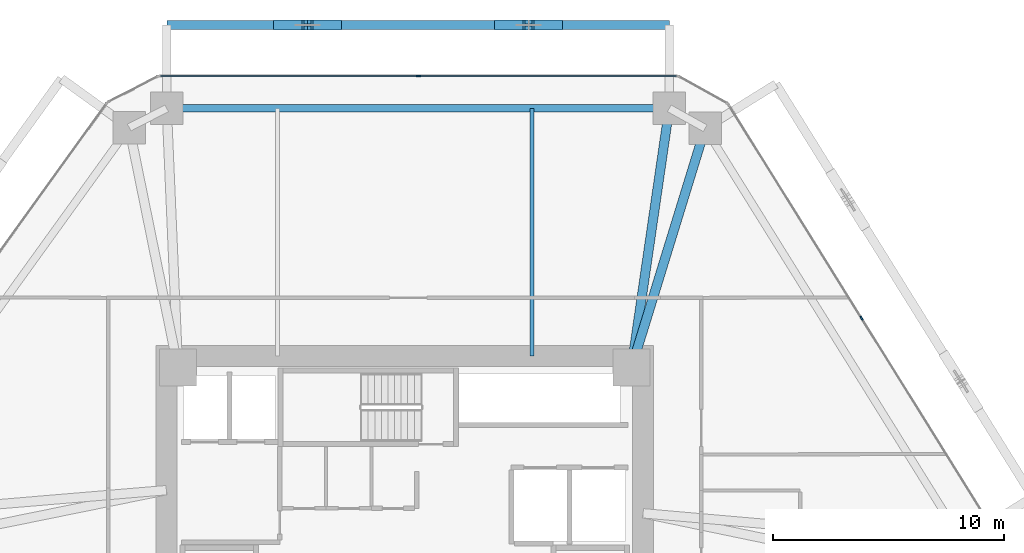
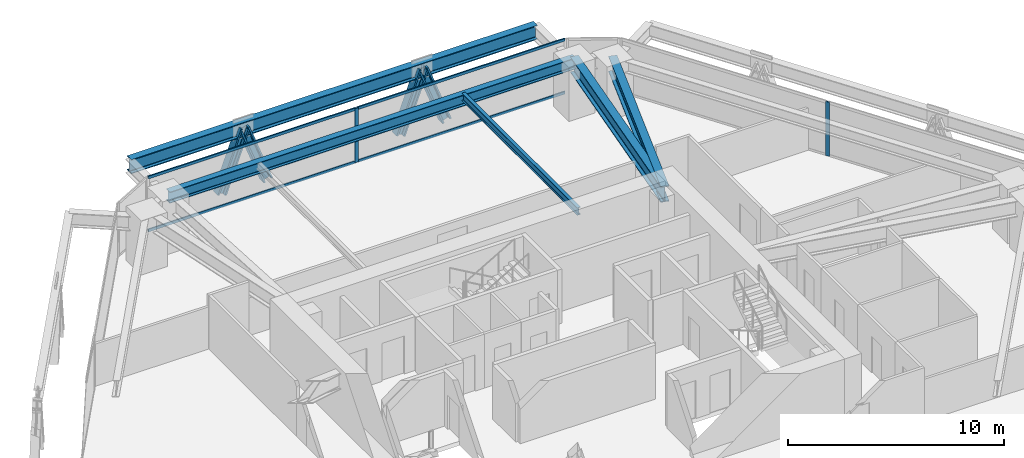
# One storey, part 8 of 16: 10 members, 5 beams, 2 elements without a shape of their own.
"""IFC4 building model written with IfcOpenShell, lengths in metres."""

from ifc_helpers import new_model, si_unit, direction, frame, origin, origin_2d, place, context, subcontext, project, spatial, rectangle, i_section, extrude, source, transform, mapped, material, layer, layer_set, material_profile, profile_set, type_object, type_shapes, element, aggregate, save


model = new_model("IFC4")

# Units and contexts
model_context = context("Model", 3, precision=1e-05, world=origin(), true_north=direction((0.0, 1.0)))
body_context = subcontext(model_context, "Body", "Model", "MODEL_VIEW")
ifc_project = project(units=[si_unit("LENGTHUNIT", "METRE"), si_unit("AREAUNIT", "SQUARE_METRE"), si_unit("VOLUMEUNIT", "CUBIC_METRE"), si_unit("PLANEANGLEUNIT", "RADIAN"), si_unit("MASSUNIT", "GRAM", prefix="KILO")], contexts=[model_context])

# Site, building, storey
site_placement = place(None, origin())
site = spatial("IfcSite", under=ifc_project, at=site_placement, CompositionType="ELEMENT")
building_placement = place(site_placement, origin())
building = spatial("IfcBuilding", under=site, at=building_placement, Name="Durnholm Broadcast Tower", CompositionType="ELEMENT")
storey_placement = place(building_placement, frame((0.0, 0.0, 65.39990234375)))
storey = spatial("IfcBuildingStorey", under=building, at=storey_placement, Name="L16", CompositionType="ELEMENT", Elevation=65.39990234375)

# Beams
ifc_material_1 = material(Name="Steel ASTM A992 Grade 50", Category="steel")
ifc_material_profile_1 = material_profile(ifc_material_1, i_section(OverallWidth=0.3291015625, OverallDepth=0.635009765625, WebThickness=0.017822265625, FlangeThickness=0.031005859375, FilletRadius=0.02783203125, at=origin_2d()), Name="W24X162")
ifc_profile_set_1 = profile_set([ifc_material_profile_1], Name="Steel ASTM A992 Grade 50")
beam_type_1 = type_object("IfcBeamType", Name="STL-SP-W24X162", PredefinedType="SPANDREL", material=ifc_profile_set_1)
shared_shape_1 = source(origin(), body_context, "Body", "SweptSolid", [
    extrude(i_section(OverallWidth=0.3291015625, OverallDepth=0.635009765625, WebThickness=0.017822265625, FlangeThickness=0.031005859375, FilletRadius=0.02783203125, at=origin_2d()), origin(), (0.0, 0.0, 1.0), 21.7138671875),
])
type_shapes(beam_type_1, [shared_shape_1])
beam_1_placement = place(storey_placement, frame((-10.28271484375, 19.0, 2.7275390625), z_axis=(1.0, 0.0, 0.0), x_axis=(0.0, 1.0, 0.0)))
element("IfcBeam", 1, at=beam_1_placement, inside=storey, type_object=beam_type_1, Name="L16 perimeter spandrel girder 05", PredefinedType="SPANDREL", context=body_context, shape_type="MappedRepresentation", body=[
    mapped(shared_shape_1, transform((0.0, 0.0, 0.0), x_axis=(1.0, 0.0, 0.0), y_axis=(0.0, 1.0, 0.0), z_axis=(0.0, 0.0, 1.0), scale=1.0)),
])
ifc_material_profile_2 = material_profile(ifc_material_1, i_section(OverallWidth=0.404052734375, OverallDepth=0.885009765625, WebThickness=0.0244140625, FlangeThickness=0.0439453125, FilletRadius=0.03564453125, at=origin_2d()), Name="W33X291")
ifc_profile_set_2 = profile_set([ifc_material_profile_2], Name="Steel ASTM A992 Grade 50")
beam_type_2 = type_object("IfcBeamType", Name="STL-GR-W33X291", PredefinedType="USERDEFINED", material=ifc_profile_set_2)
shared_shape_2 = source(origin(), body_context, "Body", "SweptSolid", [
    extrude(i_section(OverallWidth=0.404052734375, OverallDepth=0.885009765625, WebThickness=0.0244140625, FlangeThickness=0.0439453125, FilletRadius=0.03564453125, at=origin_2d()), origin(), (0.0, 0.0, 1.0), 11.318115234375),
])
beam_2_placement = place(storey_placement, frame((9.800048828125, 7.800048828125, 2.6025390625), z_axis=(0.144114595679, 0.989561005352, 0.0), x_axis=(-0.989561005352, 0.144114595679, 0.0)))
element("IfcBeam", 2, at=beam_2_placement, inside=storey, type_object=beam_type_2, Name="L16 radial primary floor girder 06", ObjectType="GIRDER", PredefinedType="USERDEFINED", context=body_context, shape_type="MappedRepresentation", body=[
    mapped(shared_shape_2, transform((0.0, 0.0, 0.0), x_axis=(1.0, 0.0, 0.0), y_axis=(0.0, 1.0, 0.0), z_axis=(0.0, 0.0, 1.0), scale=1.0)),
])
shared_shape_3 = source(origin(), body_context, "Body", "SweptSolid", [
    extrude(i_section(OverallWidth=0.404052734375, OverallDepth=0.885009765625, WebThickness=0.0244140625, FlangeThickness=0.0439453125, FilletRadius=0.03564453125, at=origin_2d()), origin(), (0.0, 0.0, 1.0), 10.817138671875),
])
type_shapes(beam_type_2, [shared_shape_2, shared_shape_3])
beam_3_placement = place(storey_placement, frame((9.800048828125, 7.800048828125, 2.6025390625), z_axis=(0.294219068418, 0.955738007918, 0.0), x_axis=(-0.955738007918, 0.294219068418, 0.0)))
element("IfcBeam", 3, at=beam_3_placement, inside=storey, type_object=beam_type_2, Name="L16 radial primary floor girder 07", ObjectType="GIRDER", PredefinedType="USERDEFINED", context=body_context, shape_type="MappedRepresentation", body=[
    mapped(shared_shape_3, transform((0.0, 0.0, 0.0), x_axis=(1.0, 0.0, 0.0), y_axis=(0.0, 1.0, 0.0), z_axis=(0.0, 0.0, 1.0), scale=1.0)),
])
ifc_material_profile_3 = material_profile(ifc_material_1, i_section(OverallWidth=0.180908203125, OverallDepth=0.417236328125, WebThickness=0.010986328125, FlangeThickness=0.018310546875, FilletRadius=0.01904296875, at=origin_2d()), Name="W16X57")
ifc_profile_set_3 = profile_set([ifc_material_profile_3], Name="Steel ASTM A992 Grade 50")
beam_type_3 = type_object("IfcBeamType", Name="STL-BJ-W16X57", PredefinedType="JOIST", material=ifc_profile_set_3)
shared_shape_4 = source(origin(), body_context, "Body", "SweptSolid", [
    extrude(i_section(OverallWidth=0.180908203125, OverallDepth=0.417236328125, WebThickness=0.010986328125, FlangeThickness=0.018310546875, FilletRadius=0.01904296875, at=origin_2d()), origin(), (0.0, 0.0, 1.0), 10.699951171875),
])
type_shapes(beam_type_3, [shared_shape_4])
beam_4_placement = place(storey_placement, frame((5.5, 8.300048828125, 2.83642578125), z_axis=(0.0, 1.0, 0.0), x_axis=(-1.0, 0.0, 0.0)))
element("IfcBeam", 4, at=beam_4_placement, inside=storey, type_object=beam_type_3, Name="L16 secondary floor joist 4.2", PredefinedType="JOIST", context=body_context, shape_type="MappedRepresentation", body=[
    mapped(shared_shape_4, transform((0.0, 0.0, 0.0), x_axis=(1.0, 0.0, 0.0), y_axis=(0.0, 1.0, 0.0), z_axis=(0.0, 0.0, 1.0), scale=1.0)),
])
ifc_material_profile_4 = material_profile(ifc_material_1, i_section(OverallWidth=0.385009765625, OverallDepth=0.802978515625, WebThickness=0.023681640625, FlangeThickness=0.0419921875, FilletRadius=0.032958984375, at=origin_2d()), Name="W30X261")
ifc_profile_set_4 = profile_set([ifc_material_profile_4], Name="Steel ASTM A992 Grade 50")
beam_type_4 = type_object("IfcBeamType", Name="BM-EXO-TIE", PredefinedType="USERDEFINED", material=ifc_profile_set_4)
shared_shape_5 = source(origin(), body_context, "Body", "SweptSolid", [
    extrude(i_section(OverallWidth=0.385009765625, OverallDepth=0.802978515625, WebThickness=0.023681640625, FlangeThickness=0.0419921875, FilletRadius=0.032958984375, at=origin_2d()), origin(), (0.0, 0.0, 1.0), 21.7138671875),
])
type_shapes(beam_type_4, [shared_shape_5])
beam_5_placement = place(storey_placement, frame((11.43115234375, 22.60009765625, 2.30859375), z_axis=(-1.0, 0.0, 0.0), x_axis=(0.0, -1.0, 0.0)))
element("IfcBeam", 5, at=beam_5_placement, inside=storey, type_object=beam_type_4, Name="L16 exoskeleton collector spandrel F4", PredefinedType="SPANDREL", context=body_context, shape_type="MappedRepresentation", body=[
    mapped(shared_shape_5, transform((0.0, 0.0, 0.0), x_axis=(1.0, 0.0, 0.0), y_axis=(0.0, 1.0, 0.0), z_axis=(0.0, 0.0, 1.0), scale=1.0)),
])

# Members
ifc_material_2 = material(Name="Steel ASTM A913 Grade 65", Category="steel")
ifc_material_profile_5 = material_profile(ifc_material_2, i_section(OverallWidth=0.43212890625, OverallDepth=0.497802734375, WebThickness=0.0556640625, FlangeThickness=0.0888671875, FilletRadius=0.030517578125, at=origin_2d()), Name="W14X500")
ifc_profile_set_5 = profile_set([ifc_material_profile_5], Name="Steel ASTM A913 Grade 65")
member_type_1 = type_object("IfcMemberType", Name="STL-DG-W14X500", PredefinedType="BRACE", material=ifc_profile_set_5)
shared_shape_6 = source(origin(), body_context, "Body", "SweptSolid", [
    extrude(i_section(OverallWidth=0.43212890625, OverallDepth=0.497802734375, WebThickness=0.0556640625, FlangeThickness=0.0888671875, FilletRadius=0.030517578125, at=origin_2d()), origin(), (0.0, 0.0, 1.0), 3.52294921875),
])
type_shapes(member_type_1, [shared_shape_6])
for number, where, z_axis, x_axis, name in (
    (6, (6.585205078125, 22.60009765625, -0.9912109375), (-0.350242321485, 0.0, 0.93665912489), (0.0, -1.0, 0.0), "L16 stand-off diagrid brace F4.D1.1"),
    (7, (4.117431640625, 22.60009765625, -0.9912109375), (0.350242321485, 0.0, 0.93665912489), (0.0, 1.0, 0.0), "L16 stand-off diagrid brace F4.D1.2"),
    (8, (-2.968994140625, 22.60009765625, -0.9912109375), (-0.350242321485, 0.0, 0.93665912489), (0.0, -1.0, 0.0), "L16 stand-off diagrid brace F4.D2.1"),
    (9, (-5.436767578125, 22.60009765625, -0.9912109375), (0.350242321485, 0.0, 0.93665912489), (0.0, 1.0, 0.0), "L16 stand-off diagrid brace F4.D2.2"),
):
    element("IfcMember", number, at=place(storey_placement, frame(where, z_axis=z_axis, x_axis=x_axis)), inside=storey, type_object=member_type_1, Name=name, PredefinedType="BRACE", context=body_context, shape_type="MappedRepresentation", body=[
        mapped(shared_shape_6, transform((0.0, 0.0, 0.0), x_axis=(1.0, 0.0, 0.0), y_axis=(0.0, 1.0, 0.0), z_axis=(0.0, 0.0, 1.0), scale=1.0)),
    ])

# Curtain wall, member
ifc_material_3 = material(Name="Aluminium and Solar Control IGU", Category="aluminium")
ifc_layer = layer(ifc_material_3, 0.18994140625)
ifc_layer_set = layer_set([ifc_layer], Name="Aluminium and Solar Control IGU")
curtain_wall_type = type_object("IfcCurtainWallType", Name="CW-SYS-3", PredefinedType="NOTDEFINED", material=ifc_layer_set)
curtain_wall_1_placement = place(storey_placement, origin())
curtain_wall_1 = element("IfcCurtainWall", 10, at=curtain_wall_1_placement, inside=storey, type_object=curtain_wall_type, Name="L16 curtain wall CW-Z12-VIS CW-L16-F04", PredefinedType="NOTDEFINED")
ifc_material_4 = material(Name="Aluminium 6063-T6", Category="aluminium")
ifc_material_profile_6 = material_profile(ifc_material_4, rectangle(XDim=0.070068359375, YDim=0.18994140625, at=origin_2d()), Name="CWM70X190")
ifc_profile_set_6 = profile_set([ifc_material_profile_6], Name="Aluminium 6063-T6")
member_type_2 = type_object("IfcMemberType", Name="CW-SYS-3-MUL", PredefinedType="MULLION", material=ifc_profile_set_6)
shared_shape_7 = source(origin(), body_context, "Body", "SweptSolid", [
    extrude(rectangle(XDim=0.070068359375, YDim=0.18994140625, at=origin_2d()), origin(), (0.0, 0.0, 1.0), 3.06005859375),
])
type_shapes(member_type_2, [shared_shape_7])
member_1_placement = place(storey_placement, frame((0.5869140625, 20.39990234375, 0.0), z_axis=(0.0, 0.0, 1.0), x_axis=(0.0, 1.0, 0.0)))
member_1 = element("IfcMember", 11, at=member_1_placement, type_object=member_type_2, Name="CW-Z12-VIS mullion 2", PredefinedType="MULLION", context=body_context, shape_type="MappedRepresentation", body=[
    mapped(shared_shape_7, transform((0.0, 0.0, 0.0), x_axis=(1.0, 0.0, 0.0), y_axis=(0.0, 1.0, 0.0), z_axis=(0.0, 0.0, 1.0), scale=1.0)),
])

curtain_wall_2_placement = place(storey_placement, origin())
curtain_wall_2 = element("IfcCurtainWall", 12, at=curtain_wall_2_placement, inside=storey, type_object=curtain_wall_type, Name="L16 curtain wall CW-Z12-VIS CW-L16-F06", PredefinedType="NOTDEFINED")
member_2_placement = place(storey_placement, frame((19.741943359375, 9.93212890625, 0.0), z_axis=(0.0, 0.0, 1.0), x_axis=(0.848875785503, 0.528592376777, 0.0)))
member_2 = element("IfcMember", 13, at=member_2_placement, type_object=member_type_2, Name="CW-Z12-VIS mullion 2", PredefinedType="MULLION", context=body_context, shape_type="MappedRepresentation", body=[
    mapped(shared_shape_7, transform((0.0, 0.0, 0.0), x_axis=(1.0, 0.0, 0.0), y_axis=(0.0, 1.0, 0.0), z_axis=(0.0, 0.0, 1.0), scale=1.0)),
])
aggregate(curtain_wall_2, [member_2])

# Member
ifc_material_profile_7 = material_profile(ifc_material_4, rectangle(XDim=0.070068359375, YDim=0.14990234375, at=origin_2d()), Name="CWT70X150")
ifc_profile_set_7 = profile_set([ifc_material_profile_7], Name="Aluminium 6063-T6")
member_type_3 = type_object("IfcMemberType", Name="CW-SYS-3-TRN", PredefinedType="USERDEFINED", material=ifc_profile_set_7)
shared_shape_8 = source(origin(), body_context, "Body", "SweptSolid", [
    extrude(rectangle(XDim=0.070068359375, YDim=0.14990234375, at=origin_2d()), origin(), (0.0, 0.0, 1.0), 11.10205078125),
])
type_shapes(member_type_3, [shared_shape_8])
member_3_placement = place(storey_placement, frame((-10.55029296875, 20.39990234375, 0.03515625), z_axis=(1.0, 0.0, 0.0), x_axis=(0.0, 1.0, 0.0)))
member_3 = element("IfcMember", 14, at=member_3_placement, type_object=member_type_3, Name="CW-Z12-VIS transom 1.1", ObjectType="TRANSOM", PredefinedType="USERDEFINED", context=body_context, shape_type="MappedRepresentation", body=[
    mapped(shared_shape_8, transform((0.0, 0.0, 0.0), x_axis=(1.0, 0.0, 0.0), y_axis=(0.0, 1.0, 0.0), z_axis=(0.0, 0.0, 1.0), scale=1.0)),
])

member_4_placement = place(storey_placement, frame((-10.55029296875, 20.39990234375, 3.025146484375), z_axis=(1.0, 0.0, 0.0), x_axis=(0.0, 1.0, 0.0)))
member_4 = element("IfcMember", 15, at=member_4_placement, type_object=member_type_3, Name="CW-Z12-VIS transom 1.2", ObjectType="TRANSOM", PredefinedType="USERDEFINED", context=body_context, shape_type="MappedRepresentation", body=[
    mapped(shared_shape_8, transform((0.0, 0.0, 0.0), x_axis=(1.0, 0.0, 0.0), y_axis=(0.0, 1.0, 0.0), z_axis=(0.0, 0.0, 1.0), scale=1.0)),
])

member_5_placement = place(storey_placement, frame((0.621826171875, 20.39990234375, 0.03515625), z_axis=(1.0, 0.0, 0.0), x_axis=(0.0, 1.0, 0.0)))
member_5 = element("IfcMember", 16, at=member_5_placement, type_object=member_type_3, Name="CW-Z12-VIS transom 2.1", ObjectType="TRANSOM", PredefinedType="USERDEFINED", context=body_context, shape_type="MappedRepresentation", body=[
    mapped(shared_shape_8, transform((0.0, 0.0, 0.0), x_axis=(1.0, 0.0, 0.0), y_axis=(0.0, 1.0, 0.0), z_axis=(0.0, 0.0, 1.0), scale=1.0)),
])

member_6_placement = place(storey_placement, frame((0.621826171875, 20.39990234375, 3.025146484375), z_axis=(1.0, 0.0, 0.0), x_axis=(0.0, 1.0, 0.0)))
member_6 = element("IfcMember", 17, at=member_6_placement, type_object=member_type_3, Name="CW-Z12-VIS transom 2.2", ObjectType="TRANSOM", PredefinedType="USERDEFINED", context=body_context, shape_type="MappedRepresentation", body=[
    mapped(shared_shape_8, transform((0.0, 0.0, 0.0), x_axis=(1.0, 0.0, 0.0), y_axis=(0.0, 1.0, 0.0), z_axis=(0.0, 0.0, 1.0), scale=1.0)),
])

aggregate(curtain_wall_1, [member_1, member_3, member_4, member_5, member_6])

save(model, "model.ifc")
